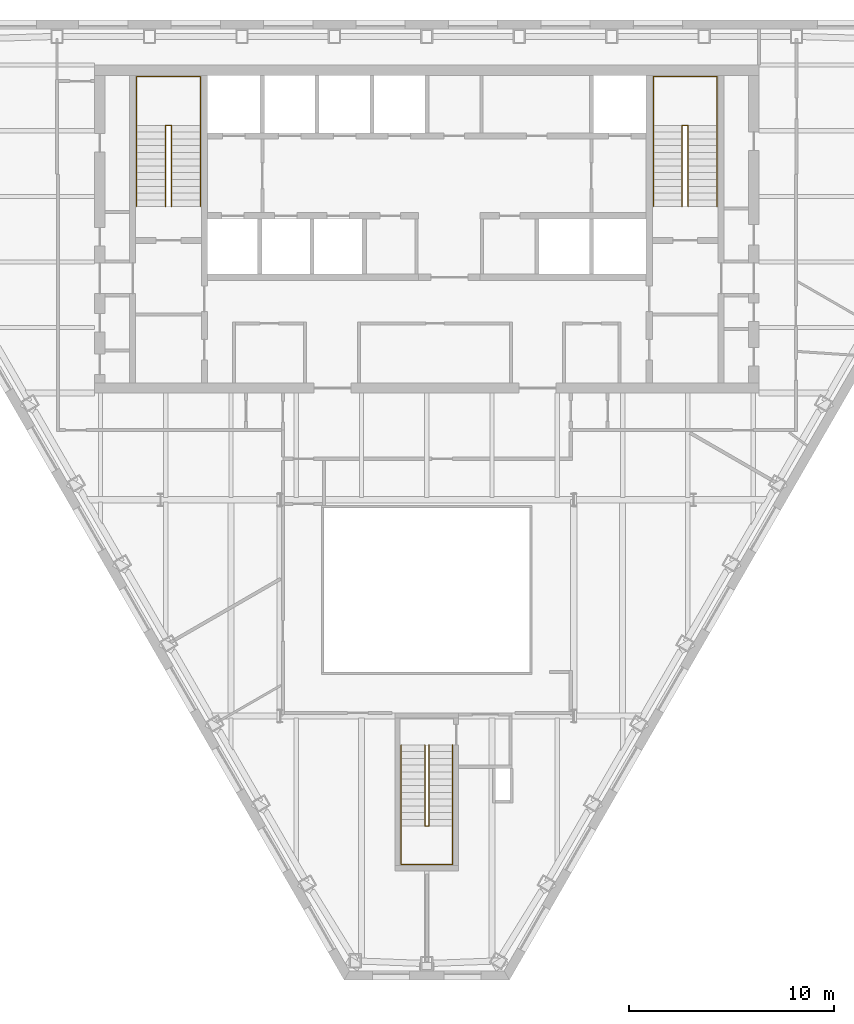
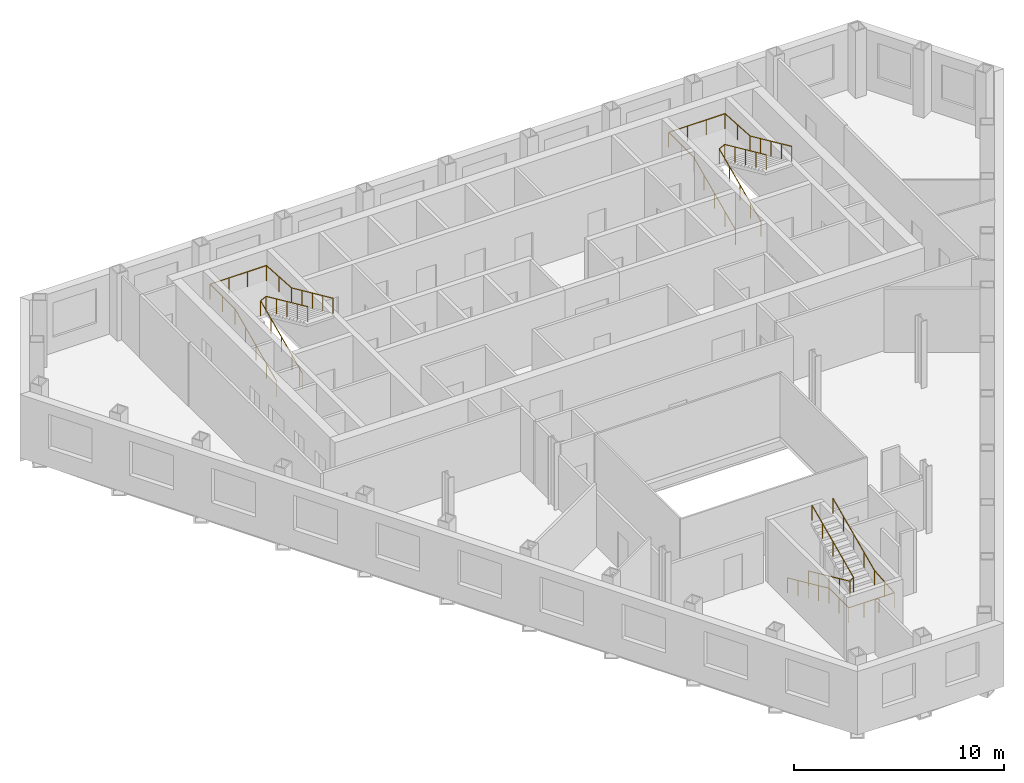
# One storey, part 11 of 11: 6 railings.
"""IFC4 building model written with IfcOpenShell, lengths in metres."""

from ifc_helpers import new_model, si_unit, direction, frame, origin, origin_2d, place, context, subcontext, project, spatial, circle, extrude, material, type_object, element, save


model = new_model("IFC4")

# Units and contexts
model_context = context("Model", 3, precision=1e-05, world=origin(), true_north=direction((0.0, 1.0)))
body_context = subcontext(model_context, "Body", "Model", "MODEL_VIEW")
ifc_project = project(units=[si_unit("LENGTHUNIT", "METRE"), si_unit("AREAUNIT", "SQUARE_METRE"), si_unit("VOLUMEUNIT", "CUBIC_METRE"), si_unit("PLANEANGLEUNIT", "RADIAN"), si_unit("MASSUNIT", "GRAM", prefix="KILO")], contexts=[model_context])

# Site, building, storey
site_placement = place(None, origin())
site = spatial("IfcSite", under=ifc_project, at=site_placement, CompositionType="ELEMENT")
building_placement = place(site_placement, origin())
building = spatial("IfcBuilding", under=site, at=building_placement, Name="Njiva Tower", CompositionType="ELEMENT")
storey_placement = place(building_placement, frame((0.0, 0.0, 174.9)))
storey = spatial("IfcBuildingStorey", under=building, at=storey_placement, Name="L38", CompositionType="ELEMENT", Elevation=174.9)

# Railings
ifc_material = material(Name="Stainless steel", Category="steel")
railing_type = type_object("IfcRailingType", Name="RL1 Stair handrail 900", PredefinedType="HANDRAIL", material=ifc_material)
railing_1_placement = place(storey_placement, frame((-14.15, 11.1, 0.15)))
element("IfcRailing", 1, at=railing_1_placement, inside=storey, type_object=railing_type, Name="Stair A handrail", PredefinedType="HANDRAIL", context=body_context, shape_type="SweptSolid", body=[
    extrude(circle(Radius=0.024, at=origin_2d()), frame((0.0, 0.0, 0.876), z_axis=(0.0, 0.910366477463, 0.413802944301), x_axis=(-1.0, 0.0, 0.0)), (0.0, 0.0, 1.0), 4.3499),
    extrude(circle(Radius=0.024, at=origin_2d()), frame((0.0, 3.96, 2.676), z_axis=(0.0, 1.0, 0.0), x_axis=(-1.0, 0.0, 0.0)), (0.0, 0.0, 1.0), 2.39),
    extrude(circle(Radius=0.024, at=origin_2d()), frame((0.0, 6.35, 2.676), z_axis=(1.0, 0.0, 0.0), x_axis=(0.0, 1.0, 0.0)), (0.0, 0.0, 1.0), 3.1),
    extrude(circle(Radius=0.024, at=origin_2d()), frame((3.1, 6.35, 2.676), z_axis=(0.0, -0.998036296047, 0.062638261258), x_axis=(1.0, 0.0, 0.0)), (0.0, 0.0, 1.0), 2.3947),
    extrude(circle(Radius=0.024, at=origin_2d()), frame((3.1, 3.96, 2.826), z_axis=(0.0, -0.910366477463, 0.413802944301), x_axis=(1.0, 0.0, 0.0)), (0.0, 0.0, 1.0), 4.3499),
    extrude(circle(Radius=0.021, at=origin_2d()), origin(), (0.0, 0.0, 1.0), 0.852),
    extrude(circle(Radius=0.021, at=origin_2d()), frame((0.0, 0.99, 0.45)), (0.0, 0.0, 1.0), 0.852),
    extrude(circle(Radius=0.021, at=origin_2d()), frame((0.0, 1.98, 0.9)), (0.0, 0.0, 1.0), 0.852),
    extrude(circle(Radius=0.021, at=origin_2d()), frame((0.0, 2.97, 1.35)), (0.0, 0.0, 1.0), 0.852),
    extrude(circle(Radius=0.021, at=origin_2d()), frame((0.0, 3.96, 1.8)), (0.0, 0.0, 1.0), 0.852),
    extrude(circle(Radius=0.021, at=origin_2d()), frame((0.0, 5.155, 1.8)), (0.0, 0.0, 1.0), 0.852),
    extrude(circle(Radius=0.021, at=origin_2d()), frame((0.0, 6.35, 1.8)), (0.0, 0.0, 1.0), 0.852),
    extrude(circle(Radius=0.021, at=origin_2d()), frame((1.0333, 6.35, 1.8)), (0.0, 0.0, 1.0), 0.852),
    extrude(circle(Radius=0.021, at=origin_2d()), frame((2.0667, 6.35, 1.8)), (0.0, 0.0, 1.0), 0.852),
    extrude(circle(Radius=0.021, at=origin_2d()), frame((3.1, 6.35, 1.8)), (0.0, 0.0, 1.0), 0.852),
    extrude(circle(Radius=0.021, at=origin_2d()), frame((3.1, 5.155, 1.875)), (0.0, 0.0, 1.0), 0.852),
    extrude(circle(Radius=0.021, at=origin_2d()), frame((3.1, 3.96, 1.95)), (0.0, 0.0, 1.0), 0.852),
    extrude(circle(Radius=0.021, at=origin_2d()), frame((3.1, 2.97, 2.4)), (0.0, 0.0, 1.0), 0.852),
    extrude(circle(Radius=0.021, at=origin_2d()), frame((3.1, 1.98, 2.85)), (0.0, 0.0, 1.0), 0.852),
    extrude(circle(Radius=0.021, at=origin_2d()), frame((3.1, 0.99, 3.3)), (0.0, 0.0, 1.0), 0.852),
    extrude(circle(Radius=0.021, at=origin_2d()), frame((3.1, 0.0, 3.75)), (0.0, 0.0, 1.0), 0.852),
])
railing_2_placement = place(storey_placement, frame((-12.75, 11.1, 0.15)))
element("IfcRailing", 2, at=railing_2_placement, inside=storey, type_object=railing_type, Name="Stair A handrail", PredefinedType="HANDRAIL", context=body_context, shape_type="SweptSolid", body=[
    extrude(circle(Radius=0.024, at=origin_2d()), frame((0.0, 0.0, 0.876), z_axis=(0.0, 0.910366477463, 0.413802944301), x_axis=(-1.0, 0.0, 0.0)), (0.0, 0.0, 1.0), 4.3499),
    extrude(circle(Radius=0.024, at=origin_2d()), frame((0.0, 3.96, 2.676), z_axis=(0.894427191, 0.0, 0.4472135955), x_axis=(0.0, 1.0, 0.0)), (0.0, 0.0, 1.0), 0.3354),
    extrude(circle(Radius=0.024, at=origin_2d()), frame((0.3, 3.96, 2.826), z_axis=(0.0, -0.910366477463, 0.413802944301), x_axis=(1.0, 0.0, 0.0)), (0.0, 0.0, 1.0), 4.3499),
    extrude(circle(Radius=0.021, at=origin_2d()), origin(), (0.0, 0.0, 1.0), 0.852),
    extrude(circle(Radius=0.021, at=origin_2d()), frame((0.0, 0.99, 0.45)), (0.0, 0.0, 1.0), 0.852),
    extrude(circle(Radius=0.021, at=origin_2d()), frame((0.0, 1.98, 0.9)), (0.0, 0.0, 1.0), 0.852),
    extrude(circle(Radius=0.021, at=origin_2d()), frame((0.0, 2.97, 1.35)), (0.0, 0.0, 1.0), 0.852),
    extrude(circle(Radius=0.021, at=origin_2d()), frame((0.0, 3.96, 1.8)), (0.0, 0.0, 1.0), 0.852),
    extrude(circle(Radius=0.021, at=origin_2d()), frame((0.3, 3.96, 1.95)), (0.0, 0.0, 1.0), 0.852),
    extrude(circle(Radius=0.021, at=origin_2d()), frame((0.3, 2.97, 2.4)), (0.0, 0.0, 1.0), 0.852),
    extrude(circle(Radius=0.021, at=origin_2d()), frame((0.3, 1.98, 2.85)), (0.0, 0.0, 1.0), 0.852),
    extrude(circle(Radius=0.021, at=origin_2d()), frame((0.3, 0.99, 3.3)), (0.0, 0.0, 1.0), 0.852),
    extrude(circle(Radius=0.021, at=origin_2d()), frame((0.3, 0.0, 3.75)), (0.0, 0.0, 1.0), 0.852),
])
railing_3_placement = place(storey_placement, frame((11.05, 11.1, 0.15)))
element("IfcRailing", 3, at=railing_3_placement, inside=storey, type_object=railing_type, Name="Stair B handrail", PredefinedType="HANDRAIL", context=body_context, shape_type="SweptSolid", body=[
    extrude(circle(Radius=0.024, at=origin_2d()), frame((0.0, 0.0, 0.876), z_axis=(0.0, 0.910366477463, 0.413802944301), x_axis=(-1.0, 0.0, 0.0)), (0.0, 0.0, 1.0), 4.3499),
    extrude(circle(Radius=0.024, at=origin_2d()), frame((0.0, 3.96, 2.676), z_axis=(0.0, 1.0, 0.0), x_axis=(-1.0, 0.0, 0.0)), (0.0, 0.0, 1.0), 2.39),
    extrude(circle(Radius=0.024, at=origin_2d()), frame((0.0, 6.35, 2.676), z_axis=(1.0, 0.0, 0.0), x_axis=(0.0, 1.0, 0.0)), (0.0, 0.0, 1.0), 3.1),
    extrude(circle(Radius=0.024, at=origin_2d()), frame((3.1, 6.35, 2.676), z_axis=(0.0, -0.998036296047, 0.062638261258), x_axis=(1.0, 0.0, 0.0)), (0.0, 0.0, 1.0), 2.3947),
    extrude(circle(Radius=0.024, at=origin_2d()), frame((3.1, 3.96, 2.826), z_axis=(0.0, -0.910366477463, 0.413802944301), x_axis=(1.0, 0.0, 0.0)), (0.0, 0.0, 1.0), 4.3499),
    extrude(circle(Radius=0.021, at=origin_2d()), origin(), (0.0, 0.0, 1.0), 0.852),
    extrude(circle(Radius=0.021, at=origin_2d()), frame((0.0, 0.99, 0.45)), (0.0, 0.0, 1.0), 0.852),
    extrude(circle(Radius=0.021, at=origin_2d()), frame((0.0, 1.98, 0.9)), (0.0, 0.0, 1.0), 0.852),
    extrude(circle(Radius=0.021, at=origin_2d()), frame((0.0, 2.97, 1.35)), (0.0, 0.0, 1.0), 0.852),
    extrude(circle(Radius=0.021, at=origin_2d()), frame((0.0, 3.96, 1.8)), (0.0, 0.0, 1.0), 0.852),
    extrude(circle(Radius=0.021, at=origin_2d()), frame((0.0, 5.155, 1.8)), (0.0, 0.0, 1.0), 0.852),
    extrude(circle(Radius=0.021, at=origin_2d()), frame((0.0, 6.35, 1.8)), (0.0, 0.0, 1.0), 0.852),
    extrude(circle(Radius=0.021, at=origin_2d()), frame((1.0333, 6.35, 1.8)), (0.0, 0.0, 1.0), 0.852),
    extrude(circle(Radius=0.021, at=origin_2d()), frame((2.0667, 6.35, 1.8)), (0.0, 0.0, 1.0), 0.852),
    extrude(circle(Radius=0.021, at=origin_2d()), frame((3.1, 6.35, 1.8)), (0.0, 0.0, 1.0), 0.852),
    extrude(circle(Radius=0.021, at=origin_2d()), frame((3.1, 5.155, 1.875)), (0.0, 0.0, 1.0), 0.852),
    extrude(circle(Radius=0.021, at=origin_2d()), frame((3.1, 3.96, 1.95)), (0.0, 0.0, 1.0), 0.852),
    extrude(circle(Radius=0.021, at=origin_2d()), frame((3.1, 2.97, 2.4)), (0.0, 0.0, 1.0), 0.852),
    extrude(circle(Radius=0.021, at=origin_2d()), frame((3.1, 1.98, 2.85)), (0.0, 0.0, 1.0), 0.852),
    extrude(circle(Radius=0.021, at=origin_2d()), frame((3.1, 0.99, 3.3)), (0.0, 0.0, 1.0), 0.852),
    extrude(circle(Radius=0.021, at=origin_2d()), frame((3.1, 0.0, 3.75)), (0.0, 0.0, 1.0), 0.852),
])
railing_4_placement = place(storey_placement, frame((12.45, 11.1, 0.15)))
element("IfcRailing", 4, at=railing_4_placement, inside=storey, type_object=railing_type, Name="Stair B handrail", PredefinedType="HANDRAIL", context=body_context, shape_type="SweptSolid", body=[
    extrude(circle(Radius=0.024, at=origin_2d()), frame((0.0, 0.0, 0.876), z_axis=(0.0, 0.910366477463, 0.413802944301), x_axis=(-1.0, 0.0, 0.0)), (0.0, 0.0, 1.0), 4.3499),
    extrude(circle(Radius=0.024, at=origin_2d()), frame((0.0, 3.96, 2.676), z_axis=(0.894427191, 0.0, 0.4472135955), x_axis=(0.0, 1.0, 0.0)), (0.0, 0.0, 1.0), 0.3354),
    extrude(circle(Radius=0.024, at=origin_2d()), frame((0.3, 3.96, 2.826), z_axis=(0.0, -0.910366477463, 0.413802944301), x_axis=(1.0, 0.0, 0.0)), (0.0, 0.0, 1.0), 4.3499),
    extrude(circle(Radius=0.021, at=origin_2d()), origin(), (0.0, 0.0, 1.0), 0.852),
    extrude(circle(Radius=0.021, at=origin_2d()), frame((0.0, 0.99, 0.45)), (0.0, 0.0, 1.0), 0.852),
    extrude(circle(Radius=0.021, at=origin_2d()), frame((0.0, 1.98, 0.9)), (0.0, 0.0, 1.0), 0.852),
    extrude(circle(Radius=0.021, at=origin_2d()), frame((0.0, 2.97, 1.35)), (0.0, 0.0, 1.0), 0.852),
    extrude(circle(Radius=0.021, at=origin_2d()), frame((0.0, 3.96, 1.8)), (0.0, 0.0, 1.0), 0.852),
    extrude(circle(Radius=0.021, at=origin_2d()), frame((0.3, 3.96, 1.95)), (0.0, 0.0, 1.0), 0.852),
    extrude(circle(Radius=0.021, at=origin_2d()), frame((0.3, 2.97, 2.4)), (0.0, 0.0, 1.0), 0.852),
    extrude(circle(Radius=0.021, at=origin_2d()), frame((0.3, 1.98, 2.85)), (0.0, 0.0, 1.0), 0.852),
    extrude(circle(Radius=0.021, at=origin_2d()), frame((0.3, 0.99, 3.3)), (0.0, 0.0, 1.0), 0.852),
    extrude(circle(Radius=0.021, at=origin_2d()), frame((0.3, 0.0, 3.75)), (0.0, 0.0, 1.0), 0.852),
])
railing_5_placement = place(storey_placement, frame((-1.25, -15.16, 0.15)))
element("IfcRailing", 5, at=railing_5_placement, inside=storey, type_object=railing_type, Name="Stair C handrail", PredefinedType="HANDRAIL", context=body_context, shape_type="SweptSolid", body=[
    extrude(circle(Radius=0.024, at=origin_2d()), frame((0.0, 0.0, 0.876), z_axis=(0.0, -0.910366477463, 0.413802944301), x_axis=(1.0, 0.0, 0.0)), (0.0, 0.0, 1.0), 4.3499),
    extrude(circle(Radius=0.024, at=origin_2d()), frame((0.0, -3.96, 2.676), z_axis=(0.0, -1.0, 0.0), x_axis=(1.0, 0.0, 0.0)), (0.0, 0.0, 1.0), 1.88),
    extrude(circle(Radius=0.024, at=origin_2d()), frame((0.0, -5.84, 2.676), z_axis=(1.0, 0.0, 0.0), x_axis=(0.0, 1.0, 0.0)), (0.0, 0.0, 1.0), 2.5),
    extrude(circle(Radius=0.024, at=origin_2d()), frame((2.5, -5.84, 2.676), z_axis=(0.0, 0.996832115713, 0.079534477318), x_axis=(-1.0, 0.0, 0.0)), (0.0, 0.0, 1.0), 1.886),
    extrude(circle(Radius=0.024, at=origin_2d()), frame((2.5, -3.96, 2.826), z_axis=(0.0, 0.910366477463, 0.413802944301), x_axis=(-1.0, 0.0, 0.0)), (0.0, 0.0, 1.0), 4.3499),
    extrude(circle(Radius=0.021, at=origin_2d()), origin(), (0.0, 0.0, 1.0), 0.852),
    extrude(circle(Radius=0.021, at=origin_2d()), frame((0.0, -0.99, 0.45)), (0.0, 0.0, 1.0), 0.852),
    extrude(circle(Radius=0.021, at=origin_2d()), frame((0.0, -1.98, 0.9)), (0.0, 0.0, 1.0), 0.852),
    extrude(circle(Radius=0.021, at=origin_2d()), frame((0.0, -2.97, 1.35)), (0.0, 0.0, 1.0), 0.852),
    extrude(circle(Radius=0.021, at=origin_2d()), frame((0.0, -3.96, 1.8)), (0.0, 0.0, 1.0), 0.852),
    extrude(circle(Radius=0.021, at=origin_2d()), frame((0.0, -4.9, 1.8)), (0.0, 0.0, 1.0), 0.852),
    extrude(circle(Radius=0.021, at=origin_2d()), frame((0.0, -5.84, 1.8)), (0.0, 0.0, 1.0), 0.852),
    extrude(circle(Radius=0.021, at=origin_2d()), frame((0.8333, -5.84, 1.8)), (0.0, 0.0, 1.0), 0.852),
    extrude(circle(Radius=0.021, at=origin_2d()), frame((1.6667, -5.84, 1.8)), (0.0, 0.0, 1.0), 0.852),
    extrude(circle(Radius=0.021, at=origin_2d()), frame((2.5, -5.84, 1.8)), (0.0, 0.0, 1.0), 0.852),
    extrude(circle(Radius=0.021, at=origin_2d()), frame((2.5, -4.9, 1.875)), (0.0, 0.0, 1.0), 0.852),
    extrude(circle(Radius=0.021, at=origin_2d()), frame((2.5, -3.96, 1.95)), (0.0, 0.0, 1.0), 0.852),
    extrude(circle(Radius=0.021, at=origin_2d()), frame((2.5, -2.97, 2.4)), (0.0, 0.0, 1.0), 0.852),
    extrude(circle(Radius=0.021, at=origin_2d()), frame((2.5, -1.98, 2.85)), (0.0, 0.0, 1.0), 0.852),
    extrude(circle(Radius=0.021, at=origin_2d()), frame((2.5, -0.99, 3.3)), (0.0, 0.0, 1.0), 0.852),
    extrude(circle(Radius=0.021, at=origin_2d()), frame((2.5, 0.0, 3.75)), (0.0, 0.0, 1.0), 0.852),
])
railing_6_placement = place(storey_placement, frame((-0.1, -15.16, 0.15)))
element("IfcRailing", 6, at=railing_6_placement, inside=storey, type_object=railing_type, Name="Stair C handrail", PredefinedType="HANDRAIL", context=body_context, shape_type="SweptSolid", body=[
    extrude(circle(Radius=0.024, at=origin_2d()), frame((0.0, 0.0, 0.876), z_axis=(0.0, -0.910366477463, 0.413802944301), x_axis=(1.0, 0.0, 0.0)), (0.0, 0.0, 1.0), 4.3499),
    extrude(circle(Radius=0.024, at=origin_2d()), frame((0.0, -3.96, 2.676), z_axis=(0.8, 0.0, 0.6), x_axis=(0.0, 1.0, 0.0)), (0.0, 0.0, 1.0), 0.25),
    extrude(circle(Radius=0.024, at=origin_2d()), frame((0.2, -3.96, 2.826), z_axis=(0.0, 0.910366477463, 0.413802944301), x_axis=(-1.0, 0.0, 0.0)), (0.0, 0.0, 1.0), 4.3499),
    extrude(circle(Radius=0.021, at=origin_2d()), origin(), (0.0, 0.0, 1.0), 0.852),
    extrude(circle(Radius=0.021, at=origin_2d()), frame((0.0, -0.99, 0.45)), (0.0, 0.0, 1.0), 0.852),
    extrude(circle(Radius=0.021, at=origin_2d()), frame((0.0, -1.98, 0.9)), (0.0, 0.0, 1.0), 0.852),
    extrude(circle(Radius=0.021, at=origin_2d()), frame((0.0, -2.97, 1.35)), (0.0, 0.0, 1.0), 0.852),
    extrude(circle(Radius=0.021, at=origin_2d()), frame((0.0, -3.96, 1.8)), (0.0, 0.0, 1.0), 0.852),
    extrude(circle(Radius=0.021, at=origin_2d()), frame((0.2, -3.96, 1.95)), (0.0, 0.0, 1.0), 0.852),
    extrude(circle(Radius=0.021, at=origin_2d()), frame((0.2, -2.97, 2.4)), (0.0, 0.0, 1.0), 0.852),
    extrude(circle(Radius=0.021, at=origin_2d()), frame((0.2, -1.98, 2.85)), (0.0, 0.0, 1.0), 0.852),
    extrude(circle(Radius=0.021, at=origin_2d()), frame((0.2, -0.99, 3.3)), (0.0, 0.0, 1.0), 0.852),
    extrude(circle(Radius=0.021, at=origin_2d()), frame((0.2, 0.0, 3.75)), (0.0, 0.0, 1.0), 0.852),
])

save(model, "model.ifc")
